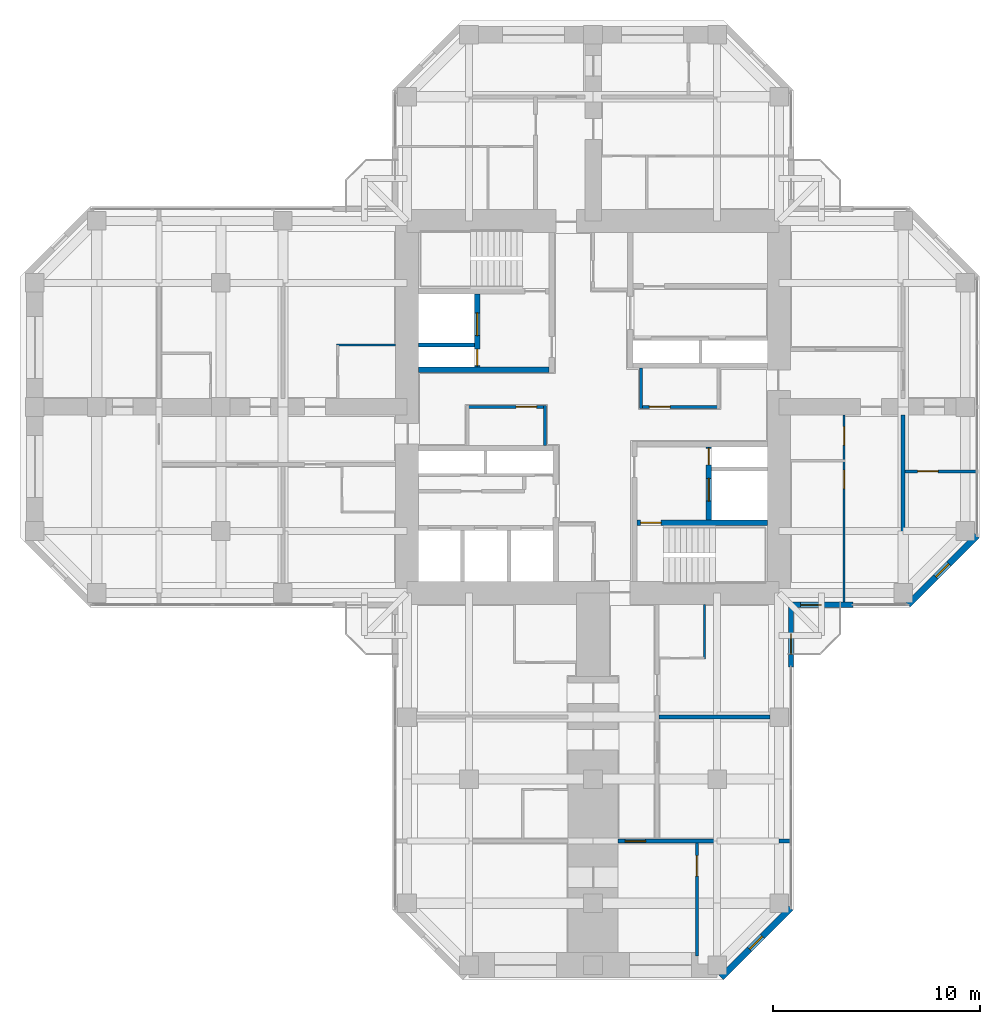
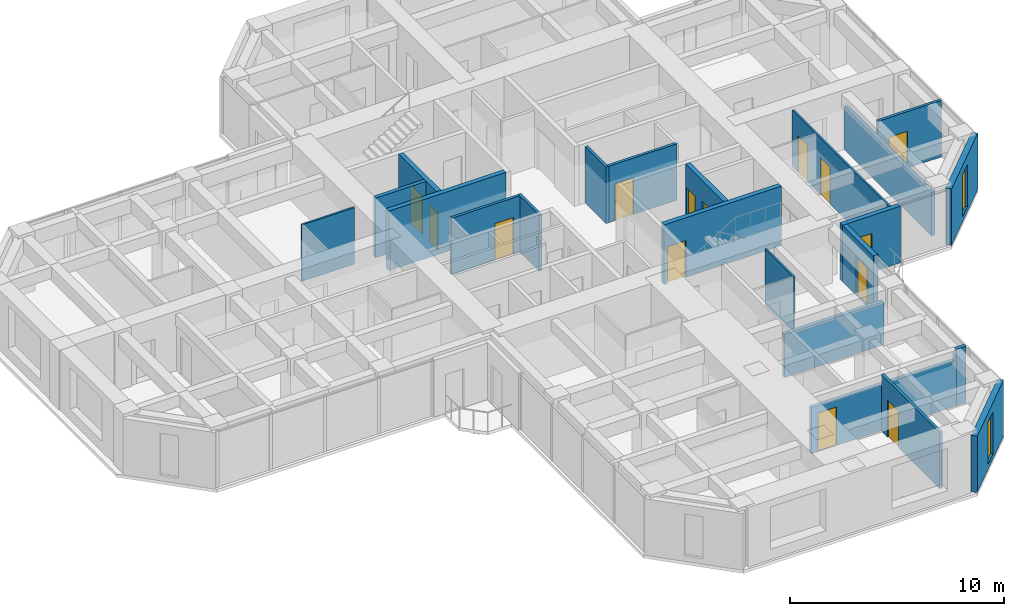
# One storey, part 10 of 14: 22 walls, 14 doors, 2 windows, 16 openings.
"""IFC4 building model written with IfcOpenShell, lengths in metres."""

from ifc_helpers import new_model, si_unit, direction, frame, frame_2d, origin, place, context, subcontext, project, spatial, rectangle, hollow_rectangle, extrude, material, layer, layer_set, constituent, constituent_set, type_object, element, fill, save


model = new_model("IFC4")

# Units and contexts
model_context = context("Model", 3, precision=1e-05, world=origin(), true_north=direction((0.0, 1.0)))
body_context = subcontext(model_context, "Body", "Model", "MODEL_VIEW")
ifc_project = project(units=[si_unit("LENGTHUNIT", "METRE"), si_unit("AREAUNIT", "SQUARE_METRE"), si_unit("VOLUMEUNIT", "CUBIC_METRE"), si_unit("PLANEANGLEUNIT", "RADIAN"), si_unit("MASSUNIT", "GRAM", prefix="KILO")], contexts=[model_context])

# Site, building, storey
site_placement = place(None, origin())
site = spatial("IfcSite", under=ifc_project, at=site_placement, CompositionType="ELEMENT")
building_placement = place(site_placement, origin())
building = spatial("IfcBuilding", under=site, at=building_placement, Name="Torre Cruceta", CompositionType="ELEMENT")
storey_placement = place(building_placement, frame((0.0, 0.0, 206.89990234375)))
storey = spatial("IfcBuildingStorey", under=building, at=storey_placement, Name="L52", CompositionType="ELEMENT", Elevation=206.89990234375)

# Wall, openings, doors
ifc_material_1 = material(Name="Water-resistant plasterboard on steel studs", Category="steel")
ifc_layer_1 = layer(ifc_material_1, 0.10009765625)
ifc_layer_set_1 = layer_set([ifc_layer_1], Name="Water-resistant plasterboard on steel studs")
wall_type_1 = type_object("IfcWallType", Name="BATHROOM WALL 100", PredefinedType="PARTITIONING", material=ifc_layer_set_1)
wall_1_placement = place(storey_placement, frame((12.14990234375, -9.445068359375, 0.0), z_axis=(0.0, 0.0, 1.0), x_axis=(0.0, 1.0, 0.0)))
wall_1 = element("IfcWall", 1, at=wall_1_placement, inside=storey, type_object=wall_type_1, Name="PT4 L52-E-U1RBS", PredefinedType="PARTITIONING", context=body_context, shape_type="SweptSolid", body=[
    extrude(rectangle(XDim=9.045166015625, YDim=0.10009765625, at=frame_2d((4.5224609375, 0.0))), origin(), (0.0, 0.0, 1.0), 3.22021484375),
])
opening_1_placement = place(wall_1_placement, frame((5.4951171875, 0.0, 0.0)))
opening_1 = element("IfcOpeningElement", 2, at=opening_1_placement, cuts=wall_1, Name="Opening D7", PredefinedType="OPENING", context=body_context, shape_type="SweptSolid", body=[
    extrude(rectangle(XDim=0.89990234375, YDim=2.10009765625, at=frame_2d((0.449951171875, 1.050048828125))), frame((0.0, 0.06005859375, 0.0), z_axis=(0.0, -1.0, 0.0), x_axis=(1.0, 0.0, 0.0)), (0.0, 0.0, 1.0), 0.1201171875),
])
opening_2_placement = place(wall_1_placement, frame((7.594970703125, 0.0, 0.0)))
opening_2 = element("IfcOpeningElement", 3, at=opening_2_placement, cuts=wall_1, Name="Opening D7", PredefinedType="OPENING", context=body_context, shape_type="SweptSolid", body=[
    extrude(rectangle(XDim=0.89990234375, YDim=2.10009765625, at=frame_2d((0.449951171875, 1.050048828125))), frame((0.0, 0.06005859375, 0.0), z_axis=(0.0, -1.0, 0.0), x_axis=(1.0, 0.0, 0.0)), (0.0, 0.0, 1.0), 0.1201171875),
])
ifc_material_2 = material(Name="Timber door", Category="wood")
door_type_1 = type_object("IfcDoorType", Name="BATHROOM DOOR 900X2100", OperationType="SINGLE_SWING_LEFT", PredefinedType="DOOR", material=ifc_material_2)
door_1_placement = place(opening_1_placement, origin())
door_1 = element("IfcDoor", 4, at=door_1_placement, inside=storey, type_object=door_type_1, Name="D7 L52-E-U1RBS-D1", OperationType="SINGLE_SWING_RIGHT", OverallHeight=2.10009765625, OverallWidth=0.89990234375, PredefinedType="DOOR", context=body_context, shape_type="SweptSolid", body=[
    extrude(rectangle(XDim=0.89990234375, YDim=2.10009765625, at=frame_2d((0.449951171875, 1.050048828125))), frame((0.0, 0.02490234375, 0.0), z_axis=(0.0, -1.0, 0.0), x_axis=(1.0, 0.0, 0.0)), (0.0, 0.0, 1.0), 0.050048828125),
])
fill(opening_1, door_1)
door_2_placement = place(opening_2_placement, origin())
door_2 = element("IfcDoor", 5, at=door_2_placement, inside=storey, type_object=door_type_1, Name="D7 L52-E-U1RBS-D2", OperationType="SINGLE_SWING_RIGHT", OverallHeight=2.10009765625, OverallWidth=0.89990234375, PredefinedType="DOOR", context=body_context, shape_type="SweptSolid", body=[
    extrude(rectangle(XDim=0.89990234375, YDim=2.10009765625, at=frame_2d((0.449951171875, 1.050048828125))), frame((0.0, 0.02490234375, 0.0), z_axis=(0.0, -1.0, 0.0), x_axis=(1.0, 0.0, 0.0)), (0.0, 0.0, 1.0), 0.050048828125),
])
fill(opening_2, door_2)

# Walls
wall_2_placement = place(storey_placement, frame((5.39990234375, -9.550048828125, 0.0), z_axis=(0.0, 0.0, 1.0), x_axis=(0.0, -1.0, 0.0)))
element("IfcWall", 6, at=wall_2_placement, inside=storey, type_object=wall_type_1, Name="PT4 L52-S-U1LBB", PredefinedType="PARTITIONING", context=body_context, shape_type="SweptSolid", body=[
    extrude(rectangle(XDim=2.64990234375, YDim=0.10009765625, at=frame_2d((1.324951171875, 0.0))), origin(), (0.0, 0.0, 1.0), 3.22021484375),
])
wall_3_placement = place(storey_placement, frame((-9.550048828125, 3.0, 0.0), z_axis=(0.0, 0.0, 1.0), x_axis=(-1.0, 0.0, 0.0)))
element("IfcWall", 7, at=wall_3_placement, inside=storey, type_object=wall_type_1, Name="PT4 L52-W-U1RBB", PredefinedType="PARTITIONING", context=body_context, shape_type="SweptSolid", body=[
    extrude(rectangle(XDim=2.849853515625, YDim=0.10009765625, at=frame_2d((1.4248046875, 0.0))), origin(), (0.0, 0.0, 1.0), 3.22021484375),
])
ifc_material_3 = material(Name="Concrete G60 (fck 60 MPa)", Category="concrete")
ifc_layer_2 = layer(ifc_material_3, 0.25)
ifc_layer_set_2 = layer_set([ifc_layer_2], Name="Concrete G60 (fck 60 MPa)")
wall_type_2 = type_object("IfcWallType", Name="CORE INNER WALL 250 G60", PredefinedType="SHEAR", material=ifc_layer_set_2)
wall_4_placement = place(storey_placement, frame((-2.125, 1.800048828125, 0.0), z_axis=(0.0, 0.0, 1.0), x_axis=(-1.0, 0.0, 0.0)))
element("IfcWall", 8, at=wall_4_placement, inside=storey, type_object=wall_type_2, Name="CW4 L52 NW-CV", PredefinedType="SHEAR", context=body_context, shape_type="SweptSolid", body=[
    extrude(rectangle(XDim=6.324951171875, YDim=0.25, at=frame_2d((3.16259765625, 0.0))), origin(), (0.0, 0.0, 1.0), 3.400146484375),
])

# Wall, openings, doors
wall_5_placement = place(storey_placement, frame((-5.60009765625, 1.925048828125, 0.0), z_axis=(0.0, 0.0, 1.0), x_axis=(0.0, 1.0, 0.0)))
wall_5 = element("IfcWall", 9, at=wall_5_placement, inside=storey, type_object=wall_type_2, Name="CW4 L52 NW-FU", PredefinedType="SHEAR", context=body_context, shape_type="SweptSolid", body=[
    extrude(rectangle(XDim=3.550048828125, YDim=0.25, at=frame_2d((1.77490234375, 0.0))), origin(), (0.0, 0.0, 1.0), 3.400146484375),
])
opening_3_placement = place(wall_5_placement, frame((1.52490234375, 0.0, 0.0)))
opening_3 = element("IfcOpeningElement", 10, at=opening_3_placement, cuts=wall_5, Name="Opening LD1", PredefinedType="OPENING", context=body_context, shape_type="SweptSolid", body=[
    extrude(rectangle(XDim=1.10009765625, YDim=2.199951171875, at=frame_2d((0.550048828125, 1.10009765625))), frame((0.0, 0.135009765625, 0.0), z_axis=(0.0, -1.0, 0.0), x_axis=(1.0, 0.0, 0.0)), (0.0, 0.0, 1.0), 0.27001953125),
])
opening_4_placement = place(wall_5_placement, frame((0.074951171875, 0.0, 0.0)))
opening_4 = element("IfcOpeningElement", 11, at=opening_4_placement, cuts=wall_5, Name="Opening D5", PredefinedType="OPENING", context=body_context, shape_type="SweptSolid", body=[
    extrude(rectangle(XDim=0.800048828125, YDim=2.10009765625, at=frame_2d((0.39990234375, 1.050048828125))), frame((0.0, 0.135009765625, 0.0), z_axis=(0.0, -1.0, 0.0), x_axis=(1.0, 0.0, 0.0)), (0.0, 0.0, 1.0), 0.27001953125),
])
ifc_material_4 = material(Name="Stainless steel 1.4401", Category="steel")
door_type_2 = type_object("IfcDoorType", Name="LIFT LANDING DOOR 1100X2200", OperationType="DOUBLE_DOOR_SLIDING", PredefinedType="DOOR", material=ifc_material_4)
door_3_placement = place(opening_3_placement, origin())
door_3 = element("IfcDoor", 12, at=door_3_placement, inside=storey, type_object=door_type_2, Name="Lift landing door FL1", OperationType="DOUBLE_DOOR_SLIDING", OverallHeight=2.199951171875, OverallWidth=1.10009765625, PredefinedType="DOOR", context=body_context, shape_type="SweptSolid", body=[
    extrude(rectangle(XDim=1.10009765625, YDim=2.199951171875, at=frame_2d((0.550048828125, 1.10009765625))), frame((0.0, 0.02490234375, 0.0), z_axis=(0.0, -1.0, 0.0), x_axis=(1.0, 0.0, 0.0)), (0.0, 0.0, 1.0), 0.050048828125),
])
fill(opening_3, door_3)
ifc_material_5 = material(Name="Steel DX51D", Category="steel")
ifc_constituent_1 = constituent(ifc_material_5, Name="Leaf and frame")
ifc_material_6 = material(Name="Polyester powder coating", Category="paint")
ifc_constituent_2 = constituent(ifc_material_6, Name="Finish")
ifc_constituent_set_1 = constituent_set(constituents=[ifc_constituent_1, ifc_constituent_2], Name="Steel fire door")
door_type_3 = type_object("IfcDoorType", Name="RISER ACCESS DOOR 800X2100", OperationType="SINGLE_SWING_LEFT", PredefinedType="DOOR", material=ifc_constituent_set_1)
door_4_placement = place(opening_4_placement, origin())
door_4 = element("IfcDoor", 13, at=door_4_placement, inside=storey, type_object=door_type_3, Name="D5 L52 NW-RISER", OperationType="SINGLE_SWING_LEFT", OverallHeight=2.10009765625, OverallWidth=0.800048828125, PredefinedType="DOOR", context=body_context, shape_type="SweptSolid", body=[
    extrude(rectangle(XDim=0.800048828125, YDim=2.10009765625, at=frame_2d((0.39990234375, 1.050048828125))), frame((0.0, 0.02490234375, 0.0), z_axis=(0.0, -1.0, 0.0), x_axis=(1.0, 0.0, 0.0)), (0.0, 0.0, 1.0), 0.050048828125),
])
fill(opening_4, door_4)

# Wall, opening, door
wall_6_placement = place(storey_placement, frame((2.125, -5.60009765625, 0.0), z_axis=(0.0, 0.0, 1.0), x_axis=(1.0, 0.0, 0.0)))
wall_6 = element("IfcWall", 14, at=wall_6_placement, inside=storey, type_object=wall_type_2, Name="CW4 L52 SE-SV", PredefinedType="SHEAR", context=body_context, shape_type="SweptSolid", body=[
    extrude(rectangle(XDim=6.324951171875, YDim=0.25, at=frame_2d((3.16259765625, 0.0))), origin(), (0.0, 0.0, 1.0), 3.400146484375),
])
opening_5_placement = place(wall_6_placement, frame((0.175048828125, 0.0, 0.0)))
opening_5 = element("IfcOpeningElement", 15, at=opening_5_placement, cuts=wall_6, Name="Opening D3", PredefinedType="OPENING", context=body_context, shape_type="SweptSolid", body=[
    extrude(rectangle(XDim=1.0, YDim=2.10009765625, at=frame_2d((0.5, 1.050048828125))), frame((0.0, 0.135009765625, 0.0), z_axis=(0.0, -1.0, 0.0), x_axis=(1.0, 0.0, 0.0)), (0.0, 0.0, 1.0), 0.27001953125),
])
ifc_material_7 = material(Name="Steel DX51D", Category="steel")
ifc_constituent_3 = constituent(ifc_material_7, Name="Leaf and frame")
ifc_material_8 = material(Name="Polyester powder coating", Category="paint")
ifc_constituent_4 = constituent(ifc_material_8, Name="Finish")
ifc_constituent_set_2 = constituent_set(constituents=[ifc_constituent_3, ifc_constituent_4], Name="Steel fire door")
door_type_4 = type_object("IfcDoorType", Name="FIRE DOOR 1000X2100", OperationType="SINGLE_SWING_LEFT", PredefinedType="DOOR", material=ifc_constituent_set_2)
door_5_placement = place(opening_5_placement, frame((1.0, 0.0, 0.0), z_axis=(0.0, 0.0, 1.0), x_axis=(-1.0, 0.0, 0.0)))
door_5 = element("IfcDoor", 16, at=door_5_placement, inside=storey, type_object=door_type_4, Name="D3 L52 SE-STAIR", OperationType="SINGLE_SWING_RIGHT", OverallHeight=2.10009765625, OverallWidth=1.0, PredefinedType="DOOR", context=body_context, shape_type="SweptSolid", body=[
    extrude(rectangle(XDim=1.0, YDim=2.10009765625, at=frame_2d((0.5, 1.050048828125))), frame((0.0, 0.025146484375, 0.0), z_axis=(0.0, -1.0, 0.0), x_axis=(1.0, 0.0, 0.0)), (0.0, 0.0, 1.0), 0.050048828125),
])
fill(opening_5, door_5)

# Wall, openings, doors
wall_7_placement = place(storey_placement, frame((5.60009765625, -1.925048828125, 0.0), z_axis=(0.0, 0.0, 1.0), x_axis=(0.0, -1.0, 0.0)))
wall_7 = element("IfcWall", 17, at=wall_7_placement, inside=storey, type_object=wall_type_2, Name="CW4 L52 SE-FU", PredefinedType="SHEAR", context=body_context, shape_type="SweptSolid", body=[
    extrude(rectangle(XDim=3.550048828125, YDim=0.25, at=frame_2d((1.77490234375, 0.0))), origin(), (0.0, 0.0, 1.0), 3.400146484375),
])
opening_6_placement = place(wall_7_placement, frame((1.52490234375, 0.0, 0.0)))
opening_6 = element("IfcOpeningElement", 18, at=opening_6_placement, cuts=wall_7, Name="Opening LD1", PredefinedType="OPENING", context=body_context, shape_type="SweptSolid", body=[
    extrude(rectangle(XDim=1.10009765625, YDim=2.199951171875, at=frame_2d((0.550048828125, 1.10009765625))), frame((0.0, 0.135009765625, 0.0), z_axis=(0.0, -1.0, 0.0), x_axis=(1.0, 0.0, 0.0)), (0.0, 0.0, 1.0), 0.27001953125),
])
opening_7_placement = place(wall_7_placement, frame((0.074951171875, 0.0, 0.0)))
opening_7 = element("IfcOpeningElement", 19, at=opening_7_placement, cuts=wall_7, Name="Opening D5", PredefinedType="OPENING", context=body_context, shape_type="SweptSolid", body=[
    extrude(rectangle(XDim=0.800048828125, YDim=2.10009765625, at=frame_2d((0.39990234375, 1.050048828125))), frame((0.0, 0.135009765625, 0.0), z_axis=(0.0, -1.0, 0.0), x_axis=(1.0, 0.0, 0.0)), (0.0, 0.0, 1.0), 0.27001953125),
])
door_6_placement = place(opening_6_placement, origin())
door_6 = element("IfcDoor", 20, at=door_6_placement, inside=storey, type_object=door_type_2, Name="Lift landing door FL2", OperationType="DOUBLE_DOOR_SLIDING", OverallHeight=2.199951171875, OverallWidth=1.10009765625, PredefinedType="DOOR", context=body_context, shape_type="SweptSolid", body=[
    extrude(rectangle(XDim=1.10009765625, YDim=2.199951171875, at=frame_2d((0.550048828125, 1.10009765625))), frame((0.0, 0.02490234375, 0.0), z_axis=(0.0, -1.0, 0.0), x_axis=(1.0, 0.0, 0.0)), (0.0, 0.0, 1.0), 0.050048828125),
])
fill(opening_6, door_6)
door_7_placement = place(opening_7_placement, origin())
door_7 = element("IfcDoor", 21, at=door_7_placement, inside=storey, type_object=door_type_3, Name="D5 L52 SE-RISER", OperationType="SINGLE_SWING_LEFT", OverallHeight=2.10009765625, OverallWidth=0.800048828125, PredefinedType="DOOR", context=body_context, shape_type="SweptSolid", body=[
    extrude(rectangle(XDim=0.800048828125, YDim=2.10009765625, at=frame_2d((0.39990234375, 1.050048828125))), frame((0.0, 0.02490234375, 0.0), z_axis=(0.0, -1.0, 0.0), x_axis=(1.0, 0.0, 0.0)), (0.0, 0.0, 1.0), 0.050048828125),
])
fill(opening_7, door_7)

# Wall, opening, window
ifc_material_9 = material(Name="Concrete G30 (fck 30 MPa)", Category="concrete")
ifc_layer_3 = layer(ifc_material_9, 0.300048828125)
ifc_layer_set_3 = layer_set([ifc_layer_3], Name="Concrete G30 (fck 30 MPa)")
wall_type_3 = type_object("IfcWallType", Name="EXPOSED CONCRETE FACADE WALL 300", PredefinedType="SOLIDWALL", material=ifc_layer_set_3)
wall_8_placement = place(storey_placement, frame((15.236083984375, -9.570068359375, 0.0), z_axis=(0.0, 0.0, 1.0), x_axis=(0.707106781187, 0.707106781187, 0.0)))
wall_8 = element("IfcWall", 22, at=wall_8_placement, inside=storey, type_object=wall_type_3, Name="EW1 facade wall L52 E chamfer 01", PredefinedType="SOLIDWALL", context=body_context, shape_type="SweptSolid", body=[
    extrude(rectangle(XDim=4.715087890625, YDim=0.300048828125, at=frame_2d((2.357421875, 0.0))), origin(), (0.0, 0.0, 1.0), 3.22021484375),
])
opening_8_placement = place(wall_8_placement, frame((1.907470703125, 0.0, 0.300048828125)))
opening_8 = element("IfcOpeningElement", 23, at=opening_8_placement, cuts=wall_8, Name="Opening WN5", PredefinedType="OPENING", context=body_context, shape_type="SweptSolid", body=[
    extrude(rectangle(XDim=0.89990234375, YDim=2.39990234375, at=frame_2d((0.449951171875, 1.199951171875))), frame((0.0, 0.159912109375, 0.0), z_axis=(0.0, -1.0, 0.0), x_axis=(1.0, 0.0, 0.0)), (0.0, 0.0, 1.0), 0.320068359375),
])
ifc_material_10 = material(Name="Aluminium window frame", Category="aluminium")
ifc_constituent_5 = constituent(ifc_material_10, Name="Frame")
ifc_material_11 = material(Name="Laminated insulating glass unit, low-iron clear", Category="glass")
ifc_constituent_6 = constituent(ifc_material_11, Name="Glazing")
ifc_constituent_set_3 = constituent_set(constituents=[ifc_constituent_5, ifc_constituent_6], Name="Aluminium window")
window_type = type_object("IfcWindowType", Name="CHAMFER SLOT WINDOW 900X2400", PartitioningType="SINGLE_PANEL", PredefinedType="WINDOW", material=ifc_constituent_set_3)
window_1_placement = place(opening_8_placement, origin())
window_1 = element("IfcWindow", 24, at=window_1_placement, inside=storey, type_object=window_type, Name="WN5 L52 E 1", OverallHeight=2.39990234375, OverallWidth=0.89990234375, PartitioningType="SINGLE_PANEL", PredefinedType="WINDOW", context=body_context, shape_type="SweptSolid", body=[
    extrude(hollow_rectangle(XDim=0.89990234375, YDim=2.39990234375, WallThickness=0.06005859375, at=frame_2d((0.449951171875, 1.199951171875))), frame((0.0, 0.030029296875, 0.0), z_axis=(0.0, -1.0, 0.0), x_axis=(1.0, 0.0, 0.0)), (0.0, 0.0, 1.0), 0.06005859375),
    extrude(rectangle(XDim=0.77880859375, YDim=2.27880859375, at=frame_2d((0.449951171875, 1.199951171875))), frame((0.0, 0.030029296875, 0.0), z_axis=(0.0, -1.0, 0.0), x_axis=(1.0, 0.0, 0.0)), (0.0, 0.0, 1.0), 0.06005859375),
])
fill(opening_8, window_1)

wall_9_placement = place(storey_placement, frame((6.2060546875, -27.60009765625, 0.0), z_axis=(0.0, 0.0, 1.0), x_axis=(0.707106781187, 0.707106781187, 0.0)))
wall_9 = element("IfcWall", 25, at=wall_9_placement, inside=storey, type_object=wall_type_3, Name="EW1 facade wall L52 S chamfer 18", PredefinedType="SOLIDWALL", context=body_context, shape_type="SweptSolid", body=[
    extrude(rectangle(XDim=4.75732421875, YDim=0.300048828125, at=frame_2d((2.378662109375, 0.0))), origin(), (0.0, 0.0, 1.0), 3.22021484375),
])
opening_9_placement = place(wall_9_placement, frame((1.9287109375, 0.0, 0.300048828125)))
opening_9 = element("IfcOpeningElement", 26, at=opening_9_placement, cuts=wall_9, Name="Opening WN5", PredefinedType="OPENING", context=body_context, shape_type="SweptSolid", body=[
    extrude(rectangle(XDim=0.89990234375, YDim=2.39990234375, at=frame_2d((0.449951171875, 1.199951171875))), frame((0.0, 0.159912109375, 0.0), z_axis=(0.0, -1.0, 0.0), x_axis=(1.0, 0.0, 0.0)), (0.0, 0.0, 1.0), 0.320068359375),
])
window_2_placement = place(opening_9_placement, origin())
window_2 = element("IfcWindow", 27, at=window_2_placement, inside=storey, type_object=window_type, Name="WN5 L52 S 1", OverallHeight=2.39990234375, OverallWidth=0.89990234375, PartitioningType="SINGLE_PANEL", PredefinedType="WINDOW", context=body_context, shape_type="SweptSolid", body=[
    extrude(hollow_rectangle(XDim=0.89990234375, YDim=2.39990234375, WallThickness=0.06005859375, at=frame_2d((0.449951171875, 1.199951171875))), frame((0.0, 0.030029296875, 0.0), z_axis=(0.0, -1.0, 0.0), x_axis=(1.0, 0.0, 0.0)), (0.0, 0.0, 1.0), 0.06005859375),
    extrude(rectangle(XDim=0.77880859375, YDim=2.27880859375, at=frame_2d((0.449951171875, 1.199951171875))), frame((0.0, 0.030029296875, 0.0), z_axis=(0.0, -1.0, 0.0), x_axis=(1.0, 0.0, 0.0)), (0.0, 0.0, 1.0), 0.06005859375),
])
fill(opening_9, window_2)

# Wall
ifc_material_12 = material(Name="Concrete G35 (fck 35 MPa)", Category="concrete")
ifc_layer_4 = layer(ifc_material_12, 0.199951171875)
ifc_layer_set_4 = layer_set([ifc_layer_4], Name="Concrete G35 (fck 35 MPa)")
wall_type_4 = type_object("IfcWallType", Name="LIFT SHAFT WALL 200", PredefinedType="PARTITIONING", material=ifc_layer_set_4)
wall_10_placement = place(storey_placement, frame((-5.72509765625, 3.0, 0.0), z_axis=(0.0, 0.0, 1.0), x_axis=(-1.0, 0.0, 0.0)))
element("IfcWall", 28, at=wall_10_placement, inside=storey, type_object=wall_type_4, Name="SW1 L52 NW-FR", PredefinedType="PARTITIONING", context=body_context, shape_type="SweptSolid", body=[
    extrude(rectangle(XDim=2.724853515625, YDim=0.199951171875, at=frame_2d((1.3623046875, 0.0))), origin(), (0.0, 0.0, 1.0), 3.400146484375),
])

# Wall, opening, door
ifc_material_13 = material(Name="Plasterboard on steel studs", Category="steel")
ifc_layer_5 = layer(ifc_material_13, 0.14990234375)
ifc_layer_set_5 = layer_set([ifc_layer_5], Name="Plasterboard on steel studs")
wall_type_5 = type_object("IfcWallType", Name="PARTITION 150", PredefinedType="PARTITIONING", material=ifc_layer_set_5)
wall_11_placement = place(storey_placement, frame((2.324951171875, 0.0, 0.0), z_axis=(0.0, 0.0, 1.0), x_axis=(1.0, 0.0, 0.0)))
wall_11 = element("IfcWall", 29, at=wall_11_placement, inside=storey, type_object=wall_type_5, Name="PT1 L52-CORE-LEGE-N-W1", PredefinedType="PARTITIONING", context=body_context, shape_type="SweptSolid", body=[
    extrude(rectangle(XDim=3.75, YDim=0.14990234375, at=frame_2d((1.875, 0.0))), origin(), (0.0, 0.0, 1.0), 3.22021484375),
])
opening_10_placement = place(wall_11_placement, frame((0.39990234375, 0.0, 0.0)))
opening_10 = element("IfcOpeningElement", 30, at=opening_10_placement, cuts=wall_11, Name="Opening D3", PredefinedType="OPENING", context=body_context, shape_type="SweptSolid", body=[
    extrude(rectangle(XDim=1.0, YDim=2.10009765625, at=frame_2d((0.5, 1.050048828125))), frame((0.0, 0.0849609375, 0.0), z_axis=(0.0, -1.0, 0.0), x_axis=(1.0, 0.0, 0.0)), (0.0, 0.0, 1.0), 0.169921875),
])
door_8_placement = place(opening_10_placement, origin())
door_8 = element("IfcDoor", 31, at=door_8_placement, inside=storey, type_object=door_type_4, Name="D3 L52-CORE-LEGE-N-W1-D1", OperationType="SINGLE_SWING_LEFT", OverallHeight=2.10009765625, OverallWidth=1.0, PredefinedType="DOOR", context=body_context, shape_type="SweptSolid", body=[
    extrude(rectangle(XDim=1.0, YDim=2.10009765625, at=frame_2d((0.5, 1.050048828125))), frame((0.0, 0.02490234375, 0.0), z_axis=(0.0, -1.0, 0.0), x_axis=(1.0, 0.0, 0.0)), (0.0, 0.0, 1.0), 0.050048828125),
])
fill(opening_10, door_8)

# Wall
wall_12_placement = place(storey_placement, frame((2.324951171875, 1.875, 0.0), z_axis=(0.0, 0.0, 1.0), x_axis=(0.0, -1.0, 0.0)))
element("IfcWall", 32, at=wall_12_placement, inside=storey, type_object=wall_type_5, Name="PT1 L52-CORE-LEGE-N-W2", PredefinedType="PARTITIONING", context=body_context, shape_type="SweptSolid", body=[
    extrude(rectangle(XDim=1.949951171875, YDim=0.14990234375, at=frame_2d((0.97509765625, 0.0))), origin(), (0.0, 0.0, 1.0), 3.22021484375),
])

# Wall, opening, door
wall_13_placement = place(storey_placement, frame((-2.324951171875, 0.0, 0.0), z_axis=(0.0, 0.0, 1.0), x_axis=(-1.0, 0.0, 0.0)))
wall_13 = element("IfcWall", 33, at=wall_13_placement, inside=storey, type_object=wall_type_5, Name="PT1 L52-CORE-LEGW-S-W1", PredefinedType="PARTITIONING", context=body_context, shape_type="SweptSolid", body=[
    extrude(rectangle(XDim=3.75, YDim=0.14990234375, at=frame_2d((1.875, 0.0))), origin(), (0.0, 0.0, 1.0), 3.22021484375),
])
opening_11_placement = place(wall_13_placement, frame((0.39990234375, 0.0, 0.0)))
opening_11 = element("IfcOpeningElement", 34, at=opening_11_placement, cuts=wall_13, Name="Opening D3", PredefinedType="OPENING", context=body_context, shape_type="SweptSolid", body=[
    extrude(rectangle(XDim=1.0, YDim=2.10009765625, at=frame_2d((0.5, 1.050048828125))), frame((0.0, 0.0849609375, 0.0), z_axis=(0.0, -1.0, 0.0), x_axis=(1.0, 0.0, 0.0)), (0.0, 0.0, 1.0), 0.169921875),
])
door_9_placement = place(opening_11_placement, origin())
door_9 = element("IfcDoor", 35, at=door_9_placement, inside=storey, type_object=door_type_4, Name="D3 L52-CORE-LEGW-S-W1-D1", OperationType="SINGLE_SWING_LEFT", OverallHeight=2.10009765625, OverallWidth=1.0, PredefinedType="DOOR", context=body_context, shape_type="SweptSolid", body=[
    extrude(rectangle(XDim=1.0, YDim=2.10009765625, at=frame_2d((0.5, 1.050048828125))), frame((0.0, 0.02490234375, 0.0), z_axis=(0.0, -1.0, 0.0), x_axis=(1.0, 0.0, 0.0)), (0.0, 0.0, 1.0), 0.050048828125),
])
fill(opening_11, door_9)

# Wall
wall_14_placement = place(storey_placement, frame((-2.324951171875, -1.875, 0.0), z_axis=(0.0, 0.0, 1.0), x_axis=(0.0, 1.0, 0.0)))
element("IfcWall", 36, at=wall_14_placement, inside=storey, type_object=wall_type_5, Name="PT1 L52-CORE-LEGW-S-W2", PredefinedType="PARTITIONING", context=body_context, shape_type="SweptSolid", body=[
    extrude(rectangle(XDim=1.949951171875, YDim=0.14990234375, at=frame_2d((0.97509765625, 0.0))), origin(), (0.0, 0.0, 1.0), 3.22021484375),
])

# Wall, opening, door
wall_15_placement = place(storey_placement, frame((15.10009765625, -3.117919921875, 0.0), z_axis=(0.0, 0.0, 1.0), x_axis=(1.0, 0.0, 0.0)))
wall_15 = element("IfcWall", 37, at=wall_15_placement, inside=storey, type_object=wall_type_5, Name="PT1 L52-E-END2X", PredefinedType="PARTITIONING", context=body_context, shape_type="SweptSolid", body=[
    extrude(rectangle(XDim=3.429931640625, YDim=0.14990234375, at=frame_2d((1.71484375, 0.0))), origin(), (0.0, 0.0, 1.0), 3.22021484375),
])
opening_12_placement = place(wall_15_placement, frame((0.60009765625, 0.0, 0.0)))
opening_12 = element("IfcOpeningElement", 38, at=opening_12_placement, cuts=wall_15, Name="Opening D3", PredefinedType="OPENING", context=body_context, shape_type="SweptSolid", body=[
    extrude(rectangle(XDim=1.0, YDim=2.10009765625, at=frame_2d((0.5, 1.050048828125))), frame((0.0, 0.0849609375, 0.0), z_axis=(0.0, -1.0, 0.0), x_axis=(1.0, 0.0, 0.0)), (0.0, 0.0, 1.0), 0.169921875),
])
door_10_placement = place(opening_12_placement, origin())
door_10 = element("IfcDoor", 39, at=door_10_placement, inside=storey, type_object=door_type_4, Name="D3 L52-E-END2X-D1", OperationType="SINGLE_SWING_LEFT", OverallHeight=2.10009765625, OverallWidth=1.0, PredefinedType="DOOR", context=body_context, shape_type="SweptSolid", body=[
    extrude(rectangle(XDim=1.0, YDim=2.10009765625, at=frame_2d((0.5, 1.050048828125))), frame((0.0, 0.02490234375, 0.0), z_axis=(0.0, -1.0, 0.0), x_axis=(1.0, 0.0, 0.0)), (0.0, 0.0, 1.0), 0.050048828125),
])
fill(opening_12, door_10)

wall_16_placement = place(storey_placement, frame((5.02490234375, -21.10009765625, 0.0), z_axis=(0.0, 0.0, 1.0), x_axis=(0.0, -1.0, 0.0)))
wall_16 = element("IfcWall", 40, at=wall_16_placement, inside=storey, type_object=wall_type_5, Name="PT1 L52-S-ENDX", PredefinedType="PARTITIONING", context=body_context, shape_type="SweptSolid", body=[
    extrude(rectangle(XDim=5.449951171875, YDim=0.14990234375, at=frame_2d((2.72509765625, 0.0))), origin(), (0.0, 0.0, 1.0), 3.22021484375),
])
opening_13_placement = place(wall_16_placement, frame((0.60009765625, 0.0, 0.0)))
opening_13 = element("IfcOpeningElement", 41, at=opening_13_placement, cuts=wall_16, Name="Opening D3", PredefinedType="OPENING", context=body_context, shape_type="SweptSolid", body=[
    extrude(rectangle(XDim=1.0, YDim=2.10009765625, at=frame_2d((0.5, 1.050048828125))), frame((0.0, 0.0849609375, 0.0), z_axis=(0.0, -1.0, 0.0), x_axis=(1.0, 0.0, 0.0)), (0.0, 0.0, 1.0), 0.169921875),
])
door_11_placement = place(opening_13_placement, origin())
door_11 = element("IfcDoor", 42, at=door_11_placement, inside=storey, type_object=door_type_4, Name="D3 L52-S-ENDX-D1", OperationType="SINGLE_SWING_LEFT", OverallHeight=2.10009765625, OverallWidth=1.0, PredefinedType="DOOR", context=body_context, shape_type="SweptSolid", body=[
    extrude(rectangle(XDim=1.0, YDim=2.10009765625, at=frame_2d((0.5, 1.050048828125))), frame((0.0, 0.02490234375, 0.0), z_axis=(0.0, -1.0, 0.0), x_axis=(1.0, 0.0, 0.0)), (0.0, 0.0, 1.0), 0.050048828125),
])
fill(opening_13, door_11)

# Walls
ifc_material_14 = material(Name="Concrete G25 (fck 25 MPa)", Category="concrete")
ifc_layer_6 = layer(ifc_material_14, 0.199951171875)
ifc_layer_set_6 = layer_set([ifc_layer_6], Name="Concrete G25 (fck 25 MPa)")
wall_type_6 = type_object("IfcWallType", Name="UNIT SEPARATING WALL 200", PredefinedType="SOLIDWALL", material=ifc_layer_set_6)
wall_17_placement = place(storey_placement, frame((15.0, -8.550048828125, 0.0), z_axis=(0.0, 0.0, 1.0), x_axis=(0.0, 1.0, 0.0)))
element("IfcWall", 43, at=wall_17_placement, inside=storey, type_object=wall_type_6, Name="PT2 L52-E-ENDa", PredefinedType="SOLIDWALL", context=body_context, shape_type="SweptSolid", body=[
    extrude(rectangle(XDim=8.150146484375, YDim=0.199951171875, at=frame_2d((4.0751953125, 0.0))), origin(), (0.0, 0.0, 1.0), 2.47021484375),
])
wall_18_placement = place(storey_placement, frame((3.199951171875, -15.0, 0.0), z_axis=(0.0, 0.0, 1.0), x_axis=(1.0, 0.0, 0.0)))
element("IfcWall", 44, at=wall_18_placement, inside=storey, type_object=wall_type_6, Name="PT2 L52-S-P1L", PredefinedType="SOLIDWALL", context=body_context, shape_type="SweptSolid", body=[
    extrude(rectangle(XDim=5.35009765625, YDim=0.199951171875, at=frame_2d((2.675048828125, 0.0))), origin(), (0.0, 0.0, 1.0), 2.47021484375),
])

# Wall, opening, door
wall_19_placement = place(storey_placement, frame((1.199951171875, -21.0, 0.0), z_axis=(0.0, 0.0, 1.0), x_axis=(1.0, 0.0, 0.0)))
wall_19 = element("IfcWall", 45, at=wall_19_placement, inside=storey, type_object=wall_type_6, Name="PT2 L52-S-ENDb", PredefinedType="SOLIDWALL", context=body_context, shape_type="SweptSolid", body=[
    extrude(rectangle(XDim=7.800048828125, YDim=0.199951171875, at=frame_2d((3.89990234375, 0.0))), origin(), (0.0, 0.0, 1.0), 2.6201171875),
])
opening_14_placement = place(wall_19_placement, frame((0.35009765625, 0.0, 0.0)))
opening_14 = element("IfcOpeningElement", 46, at=opening_14_placement, cuts=wall_19, Name="Opening D14", PredefinedType="OPENING", context=body_context, shape_type="SweptSolid", body=[
    extrude(rectangle(XDim=1.0, YDim=2.199951171875, at=frame_2d((0.5, 1.10009765625))), frame((0.0, 0.10986328125, 0.0), z_axis=(0.0, -1.0, 0.0), x_axis=(1.0, 0.0, 0.0)), (0.0, 0.0, 1.0), 0.219970703125),
])
ifc_material_15 = material(Name="Steel DX51D", Category="steel")
ifc_constituent_7 = constituent(ifc_material_15, Name="Leaf and frame")
ifc_material_16 = material(Name="Polyester powder coating", Category="paint")
ifc_constituent_8 = constituent(ifc_material_16, Name="Finish")
ifc_material_17 = material(Name="Fire-resisting glass", Category="glass")
ifc_constituent_9 = constituent(ifc_material_17, Name="Vision panel")
ifc_constituent_set_4 = constituent_set(constituents=[ifc_constituent_7, ifc_constituent_8, ifc_constituent_9], Name="Steel fire door with vision panel")
door_type_5 = type_object("IfcDoorType", Name="FIRE DOOR VISION PANEL 1000X2200", OperationType="SINGLE_SWING_RIGHT", PredefinedType="DOOR", material=ifc_constituent_set_4)
door_12_placement = place(opening_14_placement, frame((1.0, 0.0, 0.0), z_axis=(0.0, 0.0, 1.0), x_axis=(-1.0, 0.0, 0.0)))
door_12 = element("IfcDoor", 47, at=door_12_placement, inside=storey, type_object=door_type_5, Name="D14 L52-S-ENDb-D1", OperationType="SINGLE_SWING_RIGHT", OverallHeight=2.199951171875, OverallWidth=1.0, PredefinedType="DOOR", context=body_context, shape_type="SweptSolid", body=[
    extrude(rectangle(XDim=1.0, YDim=2.199951171875, at=frame_2d((0.5, 1.10009765625))), frame((0.0, 0.025146484375, 0.0), z_axis=(0.0, -1.0, 0.0), x_axis=(1.0, 0.0, 0.0)), (0.0, 0.0, 1.0), 0.050048828125),
])
fill(opening_14, door_12)

# Wall
wall_20_placement = place(storey_placement, frame((9.0, -21.0, 0.0), z_axis=(0.0, 0.0, 1.0), x_axis=(1.0, 0.0, 0.0)))
element("IfcWall", 48, at=wall_20_placement, inside=storey, type_object=wall_type_6, Name="PT2 L52-S-ENDb 2", PredefinedType="SOLIDWALL", context=body_context, shape_type="SweptSolid", body=[
    extrude(rectangle(XDim=0.530029296875, YDim=0.199951171875, at=frame_2d((0.26513671875, 0.0))), origin(), (0.0, 0.0, 1.0), 3.22021484375),
])

# Wall, opening, door
ifc_material_18 = material(Name="Concrete G30 (fck 30 MPa)", Category="concrete")
ifc_layer_7 = layer(ifc_material_18, 0.25)
ifc_layer_set_7 = layer_set([ifc_layer_7], Name="Concrete G30 (fck 30 MPa)")
wall_type_7 = type_object("IfcWallType", Name="WINTER GARDEN WALL 250", PredefinedType="SOLIDWALL", material=ifc_layer_set_7)
wall_21_placement = place(storey_placement, frame((9.445068359375, -9.570068359375, 0.0), z_axis=(0.0, 0.0, 1.0), x_axis=(1.0, 0.0, 0.0)))
wall_21 = element("IfcWall", 49, at=wall_21_placement, inside=storey, type_object=wall_type_7, Name="EW2 winter garden wall L52 00", PredefinedType="SOLIDWALL", context=body_context, shape_type="SweptSolid", body=[
    extrude(rectangle(XDim=3.125, YDim=0.25, at=frame_2d((1.5625, 0.0))), origin(), (0.0, 0.0, 1.0), 3.22021484375),
])
opening_15_placement = place(wall_21_placement, frame((0.60009765625, 0.0, 0.0)))
opening_15 = element("IfcOpeningElement", 50, at=opening_15_placement, cuts=wall_21, Name="Opening D10", PredefinedType="OPENING", context=body_context, shape_type="SweptSolid", body=[
    extrude(rectangle(XDim=1.0, YDim=2.199951171875, at=frame_2d((0.5, 1.10009765625))), frame((0.0, 0.135009765625, 0.0), z_axis=(0.0, -1.0, 0.0), x_axis=(1.0, 0.0, 0.0)), (0.0, 0.0, 1.0), 0.27001953125),
])
ifc_material_19 = material(Name="Aluminium door frame", Category="aluminium")
ifc_constituent_10 = constituent(ifc_material_19, Name="Frame")
ifc_material_20 = material(Name="Laminated safety glass", Category="glass")
ifc_constituent_11 = constituent(ifc_material_20, Name="Glazing")
ifc_constituent_set_5 = constituent_set(constituents=[ifc_constituent_10, ifc_constituent_11], Name="Aluminium glazed door")
door_type_6 = type_object("IfcDoorType", Name="BALCONY DOOR 1000X2200", OperationType="SINGLE_SWING_RIGHT", PredefinedType="DOOR", material=ifc_constituent_set_5)
door_13_placement = place(opening_15_placement, origin())
door_13 = element("IfcDoor", 51, at=door_13_placement, inside=storey, type_object=door_type_6, Name="D10 balcony door L52 00", OperationType="SINGLE_SWING_LEFT", OverallHeight=2.199951171875, OverallWidth=1.0, PredefinedType="DOOR", context=body_context, shape_type="SweptSolid", body=[
    extrude(hollow_rectangle(XDim=1.0, YDim=2.199951171875, WallThickness=0.06005859375, at=frame_2d((0.5, 1.10009765625))), frame((0.0, 0.02490234375, 0.0), z_axis=(0.0, -1.0, 0.0), x_axis=(1.0, 0.0, 0.0)), (0.0, 0.0, 1.0), 0.050048828125),
    extrude(rectangle(XDim=0.87890625, YDim=2.078857421875, at=frame_2d((0.5, 1.10009765625))), frame((0.0, 0.02490234375, 0.0), z_axis=(0.0, -1.0, 0.0), x_axis=(1.0, 0.0, 0.0)), (0.0, 0.0, 1.0), 0.050048828125),
])
fill(opening_15, door_13)

wall_22_placement = place(storey_placement, frame((9.570068359375, -12.570068359375, 0.0), z_axis=(0.0, 0.0, 1.0), x_axis=(0.0, 1.0, 0.0)))
wall_22 = element("IfcWall", 52, at=wall_22_placement, inside=storey, type_object=wall_type_7, Name="EW2 winter garden wall L52 19", PredefinedType="SOLIDWALL", context=body_context, shape_type="SweptSolid", body=[
    extrude(rectangle(XDim=2.875, YDim=0.25, at=frame_2d((1.4375, 0.0))), origin(), (0.0, 0.0, 1.0), 3.22021484375),
])
opening_16_placement = place(wall_22_placement, frame((0.60009765625, 0.0, 0.0)))
opening_16 = element("IfcOpeningElement", 53, at=opening_16_placement, cuts=wall_22, Name="Opening D10", PredefinedType="OPENING", context=body_context, shape_type="SweptSolid", body=[
    extrude(rectangle(XDim=1.0, YDim=2.199951171875, at=frame_2d((0.5, 1.10009765625))), frame((0.0, 0.135009765625, 0.0), z_axis=(0.0, -1.0, 0.0), x_axis=(1.0, 0.0, 0.0)), (0.0, 0.0, 1.0), 0.27001953125),
])
door_14_placement = place(opening_16_placement, origin())
door_14 = element("IfcDoor", 54, at=door_14_placement, inside=storey, type_object=door_type_6, Name="D10 balcony door L52 19", OperationType="SINGLE_SWING_RIGHT", OverallHeight=2.199951171875, OverallWidth=1.0, PredefinedType="DOOR", context=body_context, shape_type="SweptSolid", body=[
    extrude(hollow_rectangle(XDim=1.0, YDim=2.199951171875, WallThickness=0.06005859375, at=frame_2d((0.5, 1.10009765625))), frame((0.0, 0.02490234375, 0.0), z_axis=(0.0, -1.0, 0.0), x_axis=(1.0, 0.0, 0.0)), (0.0, 0.0, 1.0), 0.050048828125),
    extrude(rectangle(XDim=0.87890625, YDim=2.078857421875, at=frame_2d((0.5, 1.10009765625))), frame((0.0, 0.02490234375, 0.0), z_axis=(0.0, -1.0, 0.0), x_axis=(1.0, 0.0, 0.0)), (0.0, 0.0, 1.0), 0.050048828125),
])
fill(opening_16, door_14)

save(model, "model.ifc")
